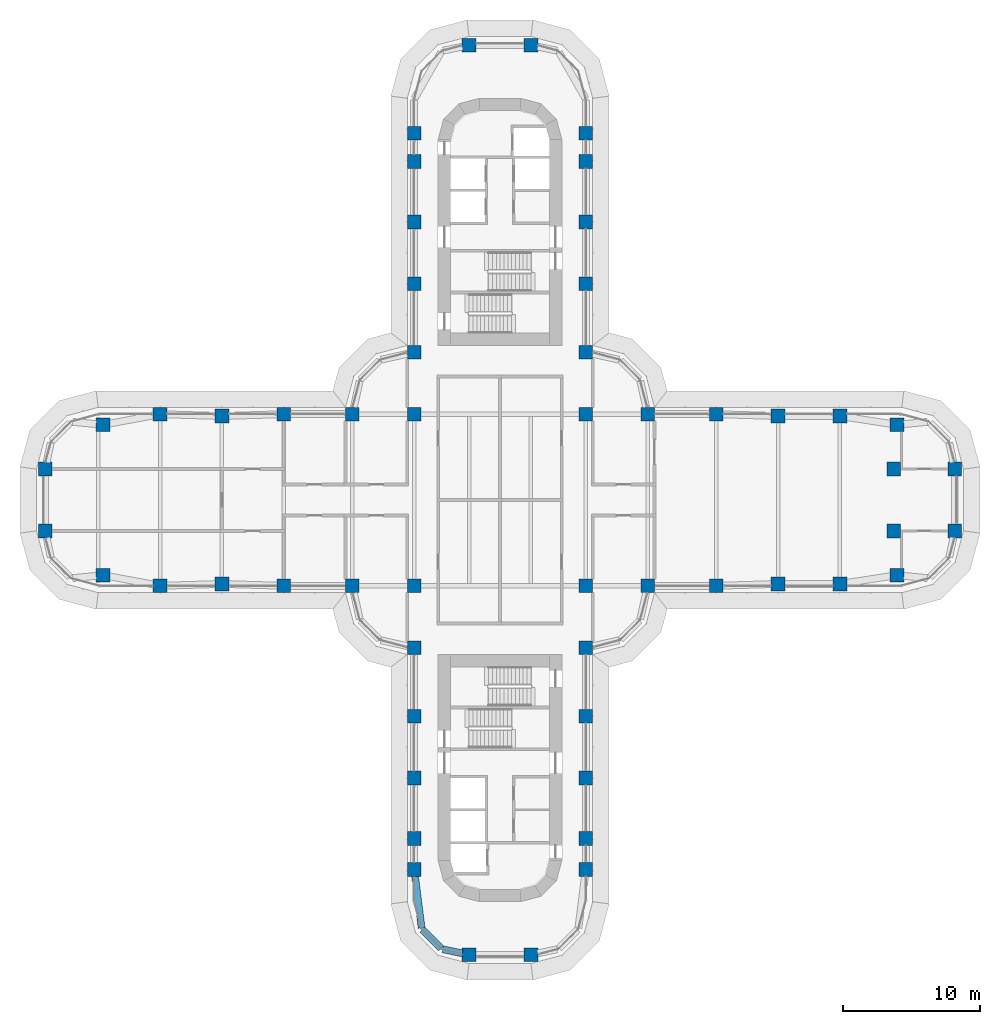
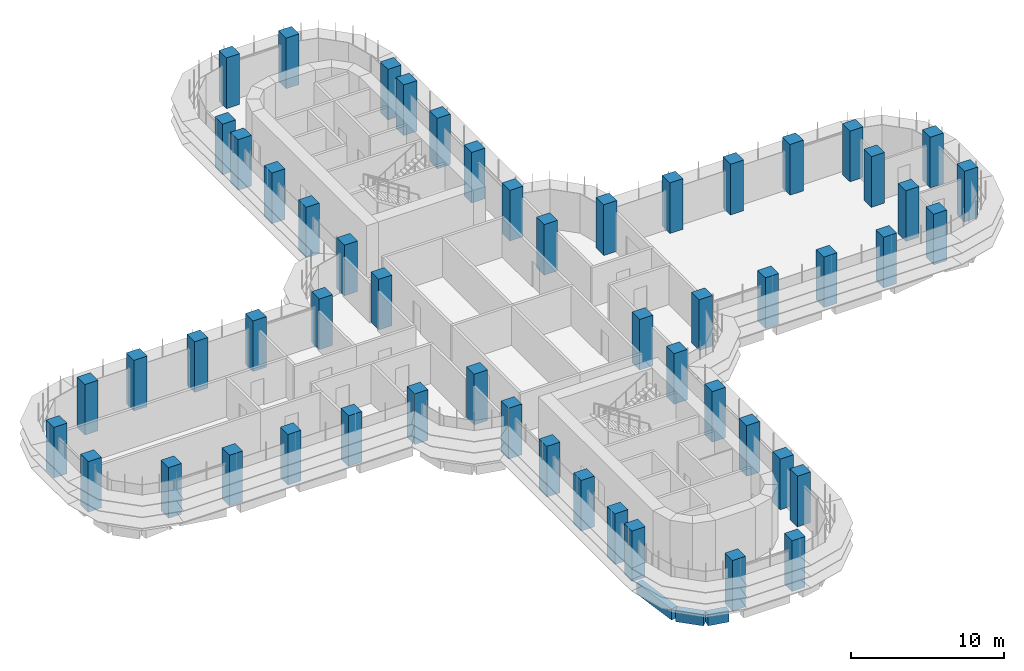
# One storey, part 1 of 23: 54 columns, 3 beams.
"""IFC4 building model written with IfcOpenShell, lengths in metres."""

from ifc_helpers import new_model, si_unit, direction, frame, origin, origin_2d, place, context, subcontext, project, spatial, rectangle, extrude, material, material_profile, profile_set, type_object, element, save


model = new_model("IFC4")

# Units and contexts
model_context = context("Model", 3, precision=1e-05, world=origin(), true_north=direction((0.0, 1.0)))
body_context = subcontext(model_context, "Body", "Model", "MODEL_VIEW")
ifc_project = project(units=[si_unit("LENGTHUNIT", "METRE"), si_unit("AREAUNIT", "SQUARE_METRE"), si_unit("VOLUMEUNIT", "CUBIC_METRE"), si_unit("PLANEANGLEUNIT", "RADIAN"), si_unit("MASSUNIT", "GRAM", prefix="KILO")], contexts=[model_context])

# Site, building, storey
site_placement = place(None, origin())
site = spatial("IfcSite", under=ifc_project, at=site_placement, CompositionType="ELEMENT")
building_placement = place(site_placement, origin())
building = spatial("IfcBuilding", under=site, at=building_placement, Name="Zarbagh Exchange Tower", CompositionType="ELEMENT")
storey_placement = place(building_placement, frame((0.0, 0.0, 64.800048828125)))
storey = spatial("IfcBuildingStorey", under=building, at=storey_placement, Name="L14", CompositionType="ELEMENT", Elevation=64.800048828125)

# Columns
ifc_material = material(Name="Concrete C60/75", Category="concrete")
ifc_material_profile_1 = material_profile(ifc_material, rectangle(XDim=1.0, YDim=1.0, at=origin_2d()), Name="RC column 1000 x 1000 C60/75")
ifc_profile_set_1 = profile_set([ifc_material_profile_1], Name="Concrete C60/75")
column_type = type_object("IfcColumnType", Name="RC column 1000 x 1000 C60/75", PredefinedType="COLUMN", material=ifc_profile_set_1)
for number, where, z_axis, x_axis, name in (
    (1, (-33.110107421875, -2.25, 0.0), (0.0, 0.0, 1.0), (1.0, 0.0, 0.0), "C2 10/S"),
    (2, (-33.110107421875, 2.25, 0.0), (0.0, 0.0, 1.0), (1.0, 0.0, 0.0), "C2 10/T"),
    (3, (-28.907958984375, -5.47509765625, 0.0), (0.0, 0.0, 1.0), (1.0, 0.0, 0.0), "C2 11/R"),
    (4, (-28.907958984375, 5.47509765625, 0.0), (0.0, 0.0, 1.0), (1.0, 0.0, 0.0), "C2 11/U"),
    (5, (-24.75, -6.25, 0.0), (0.0, 0.0, 1.0), (1.0, 0.0, 0.0), "C2 12/R"),
    (6, (-24.75, 6.25, 0.0), (0.0, 0.0, 1.0), (1.0, 0.0, 0.0), "C2 12/U"),
    (7, (-20.25, -6.110107421875, 0.0), (0.0, 0.0, 1.0), (1.0, 0.0, 0.0), "C2 13/R"),
    (8, (-20.25, 6.110107421875, 0.0), (0.0, 0.0, 1.0), (1.0, 0.0, 0.0), "C2 13/U"),
    (9, (-15.75, -6.25, 0.0), (0.0, 0.0, 1.0), (1.0, 0.0, 0.0), "C2 14/R"),
    (10, (-15.75, 6.25, 0.0), (0.0, 0.0, 1.0), (1.0, 0.0, 0.0), "C2 14/U"),
    (11, (-10.75, -6.25, 0.0), (0.0, 0.0, 1.0), (1.0, 0.0, 0.0), "C2 15/R"),
    (12, (-10.75, 6.25, 0.0), (0.0, 0.0, 1.0), (1.0, 0.0, 0.0), "C2 15/U"),
    (13, (-6.25, -26.89990234375, 0.0), (0.0, 0.0, 1.0), (1.0, 0.0, 0.0), "C2 16/L"),
    (14, (-6.25, -24.64990234375, 0.0), (0.0, 0.0, 1.0), (1.0, 0.0, 0.0), "C2 16/M"),
    (15, (-6.25, -20.25, 0.0), (0.0, 0.0, 1.0), (1.0, 0.0, 0.0), "C2 16/N"),
    (16, (-6.25, -15.75, 0.0), (0.0, 0.0, 1.0), (1.0, 0.0, 0.0), "C2 16/P"),
    (17, (-6.25, -10.75, 0.0), (0.0, 0.0, 1.0), (1.0, 0.0, 0.0), "C2 16/Q"),
    (18, (-6.25, -6.25, 0.0), (0.0, 0.0, 1.0), (1.0, 0.0, 0.0), "C2 16/R"),
    (19, (-6.25, 6.25, 0.0), (0.0, 0.0, 1.0), (1.0, 0.0, 0.0), "C2 16/U"),
    (20, (-6.25, 10.75, 0.0), (0.0, 0.0, 1.0), (1.0, 0.0, 0.0), "C2 16/V"),
    (21, (-6.25, 15.75, 0.0), (0.0, 0.0, 1.0), (1.0, 0.0, 0.0), "C2 16/W"),
    (22, (-6.25, 20.25, 0.0), (0.0, 0.0, 1.0), (1.0, 0.0, 0.0), "C2 16/X"),
    (23, (-6.25, 24.64990234375, 0.0), (0.0, 0.0, 1.0), (1.0, 0.0, 0.0), "C2 16/Y"),
    (24, (-6.25, 26.699951171875, 0.0), (0.0, 0.0, 1.0), (1.0, 0.0, 0.0), "C2 16/Z"),
    (25, (-2.25, -33.110107421875, 0.0), (0.0, 0.0, 1.0), (1.0, 0.0, 0.0), "C2 17/K"),
    (26, (-2.25, 33.110107421875, 0.0), (0.0, 0.0, 1.0), (1.0, 0.0, 0.0), "C2 17/AA"),
    (27, (2.25, -33.110107421875, 0.0), (0.0, 0.0, 1.0), (1.0, 0.0, 0.0), "C2 18/K"),
    (28, (2.25, 33.110107421875, 0.0), (0.0, 0.0, 1.0), (1.0, 0.0, 0.0), "C2 18/AA"),
    (29, (6.25, -26.89990234375, 0.0), (0.0, 0.0, 1.0), (1.0, 0.0, 0.0), "C2 19/L"),
    (30, (6.25, -24.64990234375, 0.0), (0.0, 0.0, 1.0), (1.0, 0.0, 0.0), "C2 19/M"),
    (31, (6.25, -20.25, 0.0), (0.0, 0.0, 1.0), (1.0, 0.0, 0.0), "C2 19/N"),
    (32, (6.25, -15.75, 0.0), (0.0, 0.0, 1.0), (1.0, 0.0, 0.0), "C2 19/P"),
    (33, (6.25, -10.75, 0.0), (0.0, 0.0, 1.0), (1.0, 0.0, 0.0), "C2 19/Q"),
    (34, (6.25, -6.25, 0.0), (0.0, 0.0, 1.0), (1.0, 0.0, 0.0), "C2 19/R"),
    (35, (6.25, 6.25, 0.0), (0.0, 0.0, 1.0), (1.0, 0.0, 0.0), "C2 19/U"),
    (36, (6.25, 10.75, 0.0), (0.0, 0.0, 1.0), (1.0, 0.0, 0.0), "C2 19/V"),
    (37, (6.25, 15.75, 0.0), (0.0, 0.0, 1.0), (1.0, 0.0, 0.0), "C2 19/W"),
    (38, (6.25, 20.25, 0.0), (0.0, 0.0, 1.0), (1.0, 0.0, 0.0), "C2 19/X"),
    (39, (6.25, 24.64990234375, 0.0), (0.0, 0.0, 1.0), (1.0, 0.0, 0.0), "C2 19/Y"),
    (40, (6.25, 26.699951171875, 0.0), (0.0, 0.0, 1.0), (1.0, 0.0, 0.0), "C2 19/Z"),
    (41, (10.75, -6.25, 0.0), (0.0, 0.0, 1.0), (1.0, 0.0, 0.0), "C2 20/R"),
    (42, (10.75, 6.25, 0.0), (0.0, 0.0, 1.0), (1.0, 0.0, 0.0), "C2 20/U"),
    (43, (15.75, -6.25, 0.0), (0.0, 0.0, 1.0), (1.0, 0.0, 0.0), "C2 21/R"),
    (44, (15.75, 6.25, 0.0), (0.0, 0.0, 1.0), (1.0, 0.0, 0.0), "C2 21/U"),
    (45, (20.25, -6.110107421875, 0.0), (0.0, 0.0, 1.0), (1.0, 0.0, 0.0), "C2 22/R"),
    (46, (20.25, 6.110107421875, 0.0), (0.0, 0.0, 1.0), (1.0, 0.0, 0.0), "C2 22/U"),
    (47, (24.75, -6.110107421875, 0.0), (0.0, 0.0, 1.0), (1.0, 0.0, 0.0), "C2 23/R"),
    (48, (24.75, 6.110107421875, 0.0), (0.0, 0.0, 1.0), (1.0, 0.0, 0.0), "C2 23/U"),
    (49, (28.907958984375, -5.47509765625, 0.0), (0.0, 0.0, 1.0), (1.0, 0.0, 0.0), "C2 24/R"),
    (50, (28.669921875, -2.25, 0.0), (0.0, 0.0, 1.0), (1.0, 0.0, 0.0), "C2 24/S"),
    (51, (28.669921875, 2.25, 0.0), (0.0, 0.0, 1.0), (1.0, 0.0, 0.0), "C2 24/T"),
    (52, (28.907958984375, 5.47509765625, 0.0), (0.0, 0.0, 1.0), (1.0, 0.0, 0.0), "C2 24/U"),
    (53, (33.110107421875, -2.25, 0.0), (0.0, 0.0, 1.0), (1.0, 0.0, 0.0), "C2 25/S"),
    (54, (33.110107421875, 2.25, 0.0), (0.0, 0.0, 1.0), (1.0, 0.0, 0.0), "C2 25/T"),
):
    element("IfcColumn", number, at=place(storey_placement, frame(where, z_axis=z_axis, x_axis=x_axis)), inside=storey, type_object=column_type, Name=name, PredefinedType="COLUMN", context=body_context, shape_type="SweptSolid", body=[
        extrude(rectangle(XDim=1.0, YDim=1.0, at=origin_2d()), origin(), (0.0, 0.0, 1.0), 4.050048828125),
    ])

# Beams
ifc_material_profile_2 = material_profile(ifc_material, rectangle(XDim=0.5, YDim=0.89990234375, at=origin_2d()), Name="RC spandrel beam 500 x 900 C60/75")
ifc_profile_set_2 = profile_set([ifc_material_profile_2], Name="Concrete C60/75")
beam_type = type_object("IfcBeamType", Name="RC spandrel beam 500 x 900 C60/75", PredefinedType="SPANDREL", material=ifc_profile_set_2)
beam_1_placement = place(storey_placement, frame((-2.73974609375, -33.0087890625, -0.60009765625), z_axis=(-0.9793713725, 0.202068589164, 0.0), x_axis=(-0.202068589164, -0.9793713725, 0.0)))
element("IfcBeam", 55, at=beam_1_placement, inside=storey, type_object=beam_type, Name="RC spandrel beam", PredefinedType="SPANDREL", context=body_context, shape_type="SweptSolid", body=[
    extrude(rectangle(XDim=0.5, YDim=0.89990234375, at=origin_2d()), origin(), (0.0, 0.0, 1.0), 1.458251953125),
])
beam_2_placement = place(storey_placement, frame((-4.294189453125, -32.64599609375, -0.60009765625), z_axis=(-0.707042571718, 0.707170984825, 0.0), x_axis=(-0.707170984825, -0.707042571718, 0.0)))
element("IfcBeam", 56, at=beam_2_placement, inside=storey, type_object=beam_type, Name="RC spandrel beam", PredefinedType="SPANDREL", context=body_context, shape_type="SweptSolid", body=[
    extrude(rectangle(XDim=0.5, YDim=0.89990234375, at=origin_2d()), origin(), (0.0, 0.0, 1.0), 1.901123046875),
])
beam_3_placement = place(storey_placement, frame((-5.709716796875, -31.156494140625, -0.60009765625), z_axis=(-0.12591317752, 0.992041265133, 0.0), x_axis=(-0.992041265133, -0.12591317752, 0.0)))
element("IfcBeam", 57, at=beam_3_placement, inside=storey, type_object=beam_type, Name="RC spandrel beam", PredefinedType="SPANDREL", context=body_context, shape_type="SweptSolid", body=[
    extrude(rectangle(XDim=0.5, YDim=0.89990234375, at=origin_2d()), origin(), (0.0, 0.0, 1.0), 3.790771484375),
])

save(model, "model.ifc")
